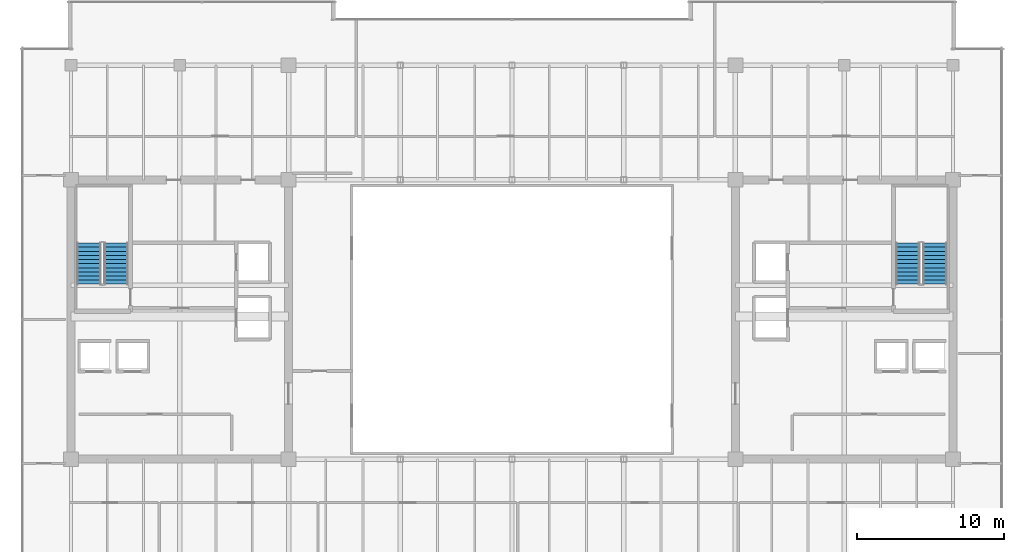
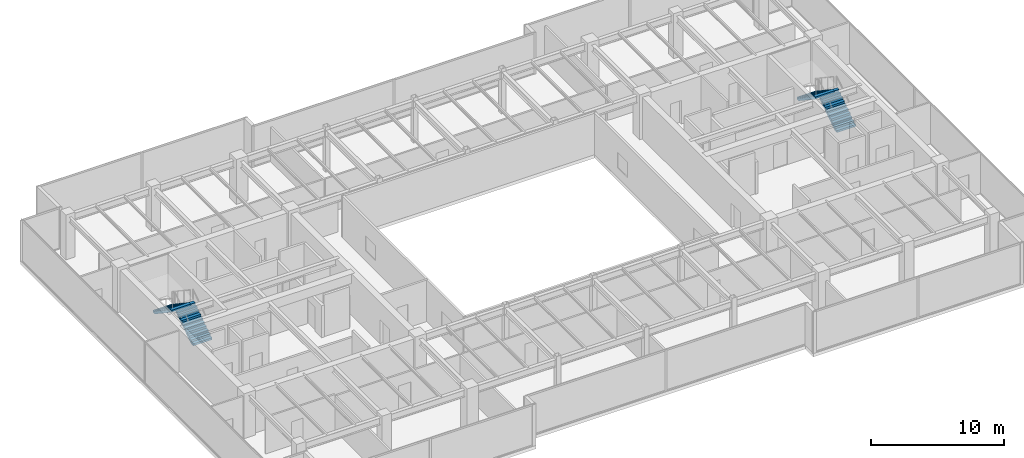
# One storey, part 31 of 33: 4 stair flights, 2 elements without a shape of their own.
"""IFC4 building model written with IfcOpenShell, lengths in metres."""

from ifc_helpers import new_model, si_unit, direction, frame, origin, place, context, subcontext, project, spatial, polyline, outline, extrude, source, transform, mapped, material, type_object, type_shapes, element, aggregate, save


model = new_model("IFC4")

# Units and contexts
model_context = context("Model", 3, precision=1e-05, world=origin(), true_north=direction((0.0, 1.0)))
body_context = subcontext(model_context, "Body", "Model", "MODEL_VIEW")
ifc_project = project(units=[si_unit("LENGTHUNIT", "METRE"), si_unit("AREAUNIT", "SQUARE_METRE"), si_unit("VOLUMEUNIT", "CUBIC_METRE"), si_unit("PLANEANGLEUNIT", "RADIAN"), si_unit("MASSUNIT", "GRAM", prefix="KILO")], contexts=[model_context])

# Site, building, storey
site_placement = place(None, origin())
site = spatial("IfcSite", under=ifc_project, at=site_placement, CompositionType="ELEMENT")
building_placement = place(site_placement, origin())
building = spatial("IfcBuilding", under=site, at=building_placement, Name="Haelvirn Gate Laboratories", CompositionType="ELEMENT")
storey_placement = place(building_placement, frame((0.0, 0.0, 267.0)))
storey = spatial("IfcBuildingStorey", under=building, at=storey_placement, Name="L64", CompositionType="ELEMENT", Elevation=267.0)

# Stair, stair flights
ifc_material = material(Name="Concrete C40/50", Category="concrete")
stair_type = type_object("IfcStairType", Name="ST-DOG-1650-R22", PredefinedType="HALF_TURN_STAIR", material=ifc_material)
stair_1_placement = place(storey_placement, origin())
stair_1 = element("IfcStair", 1, at=stair_1_placement, inside=storey, type_object=stair_type, Name="L64 Escape Stair ST1", PredefinedType="HALF_TURN_STAIR")
stair_flight_type = type_object("IfcStairFlightType", Name="STF-1650-R11", PredefinedType="STRAIGHT", material=ifc_material)
shared_shape = source(origin(), body_context, "Body", "SweptSolid", [
    extrude(outline(polyline([(0.0, 0.0), (0.0, 0.186279296875), (0.280029296875, 0.186279296875), (0.280029296875, 0.372802734375), (0.56005859375, 0.372802734375), (0.56005859375, 0.55908203125), (0.840087890625, 0.55908203125), (0.840087890625, 0.745361328125), (1.1201171875, 0.745361328125), (1.1201171875, 0.931884765625), (1.39990234375, 0.931884765625), (1.39990234375, 1.1181640625), (1.679931640625, 1.1181640625), (1.679931640625, 1.304443359375), (1.9599609375, 1.304443359375), (1.9599609375, 1.490966796875), (2.239990234375, 1.490966796875), (2.239990234375, 1.67724609375), (2.52001953125, 1.67724609375), (2.52001953125, 1.863525390625), (2.800048828125, 1.863525390625), (2.800048828125, 2.050048828125), (2.800048828125, 1.671630859375), (0.28857421875, 0.0), (0.0, 0.0)])), frame((0.0, 0.824951171875, 0.0), z_axis=(0.0, -1.0, 0.0), x_axis=(1.0, 0.0, 0.0)), (0.0, 0.0, 1.0), 1.64990234375),
])
type_shapes(stair_flight_type, [shared_shape])
stair_flight_1_placement = place(storey_placement, frame((10.47509765625, 26.699951171875, 0.0), z_axis=(0.0, 0.0, 1.0), x_axis=(0.0, 1.0, 0.0)))
stair_flight_1 = element("IfcStairFlight", 2, at=stair_flight_1_placement, type_object=stair_flight_type, Name="ST1 flight 1", NumberOfRisers=11, NumberOfTreads=10, PredefinedType="STRAIGHT", RiserHeight=0.186363636, TreadLength=0.28, context=body_context, shape_type="MappedRepresentation", body=[
    mapped(shared_shape, transform((0.0, 0.0, 0.0), scale=1.0)),
])
stair_flight_2_placement = place(storey_placement, frame((8.625, 29.5, 2.050048828125), z_axis=(0.0, 0.0, 1.0), x_axis=(0.0, -1.0, 0.0)))
stair_flight_2 = element("IfcStairFlight", 3, at=stair_flight_2_placement, type_object=stair_flight_type, Name="ST1 flight 2", NumberOfRisers=11, NumberOfTreads=10, PredefinedType="STRAIGHT", RiserHeight=0.186363636, TreadLength=0.28, context=body_context, shape_type="MappedRepresentation", body=[
    mapped(shared_shape, transform((0.0, 0.0, 0.0), scale=1.0)),
])
aggregate(stair_1, [stair_flight_1, stair_flight_2])

stair_2_placement = place(storey_placement, origin())
stair_2 = element("IfcStair", 4, at=stair_2_placement, inside=storey, type_object=stair_type, Name="L64 Escape Stair ST2", PredefinedType="HALF_TURN_STAIR")
stair_flight_3_placement = place(storey_placement, frame((66.175048828125, 26.699951171875, 0.0), z_axis=(0.0, 0.0, 1.0), x_axis=(0.0, 1.0, 0.0)))
stair_flight_3 = element("IfcStairFlight", 5, at=stair_flight_3_placement, type_object=stair_flight_type, Name="ST2 flight 1", NumberOfRisers=11, NumberOfTreads=10, PredefinedType="STRAIGHT", RiserHeight=0.186363636, TreadLength=0.28, context=body_context, shape_type="MappedRepresentation", body=[
    mapped(shared_shape, transform((0.0, 0.0, 0.0), scale=1.0)),
])
stair_flight_4_placement = place(storey_placement, frame((64.324951171875, 29.5, 2.050048828125), z_axis=(0.0, 0.0, 1.0), x_axis=(0.0, -1.0, 0.0)))
stair_flight_4 = element("IfcStairFlight", 6, at=stair_flight_4_placement, type_object=stair_flight_type, Name="ST2 flight 2", NumberOfRisers=11, NumberOfTreads=10, PredefinedType="STRAIGHT", RiserHeight=0.186363636, TreadLength=0.28, context=body_context, shape_type="MappedRepresentation", body=[
    mapped(shared_shape, transform((0.0, 0.0, 0.0), scale=1.0)),
])
aggregate(stair_2, [stair_flight_3, stair_flight_4])

save(model, "model.ifc")
